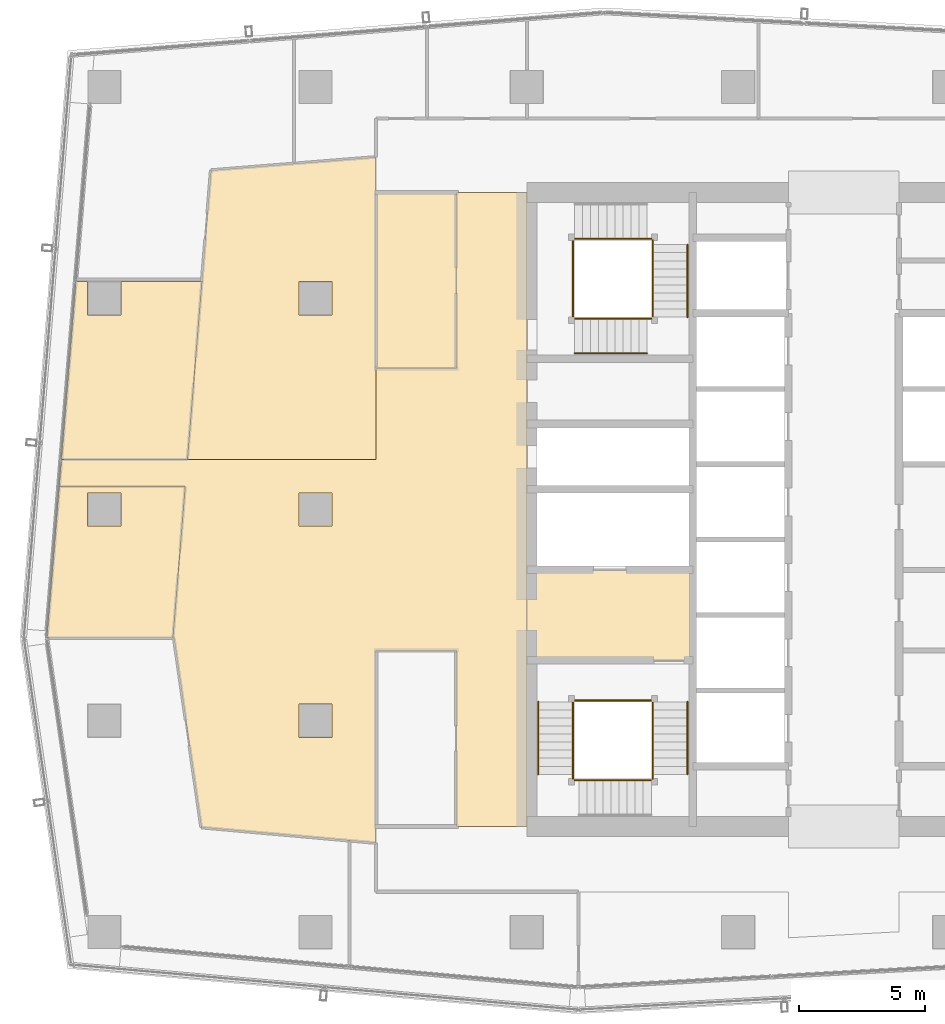
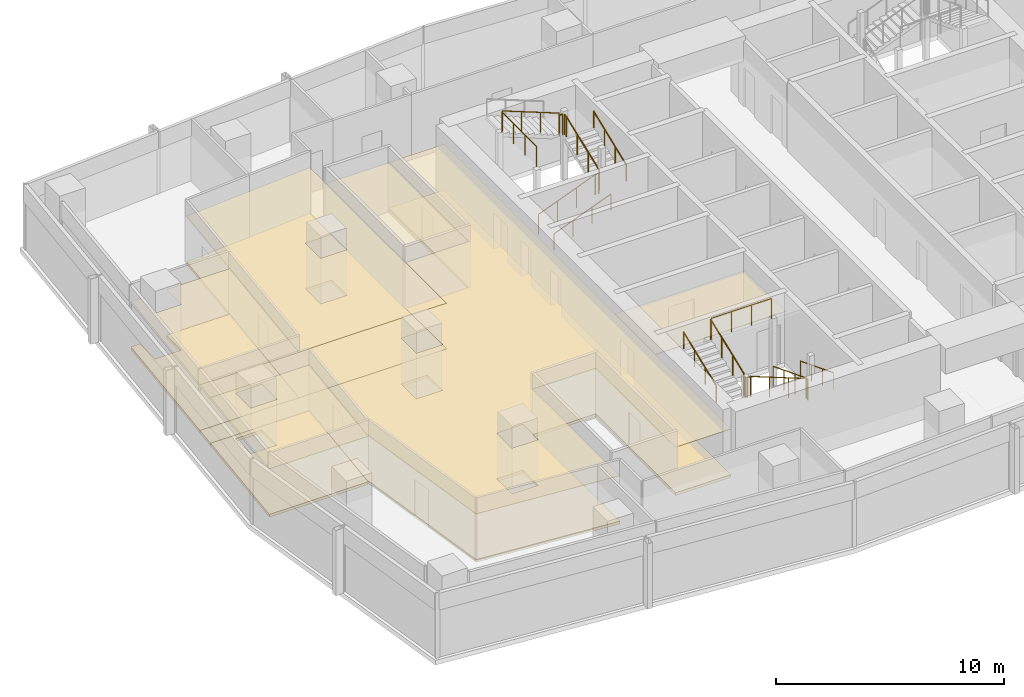
# One storey, part 27 of 29: 18 railings, 10 coverings.
"""IFC4 building model written with IfcOpenShell, lengths in metres."""

from ifc_helpers import new_model, si_unit, direction, frame, origin, origin_2d, place, context, subcontext, project, spatial, polyline, circle, outline, extrude, material, layer, layer_set, type_object, element, save


model = new_model("IFC4")

# Units and contexts
model_context = context("Model", 3, precision=1e-05, world=origin(), true_north=direction((0.0, 1.0)))
body_context = subcontext(model_context, "Body", "Model", "MODEL_VIEW")
ifc_project = project(units=[si_unit("LENGTHUNIT", "METRE"), si_unit("AREAUNIT", "SQUARE_METRE"), si_unit("VOLUMEUNIT", "CUBIC_METRE"), si_unit("PLANEANGLEUNIT", "RADIAN"), si_unit("MASSUNIT", "GRAM", prefix="KILO")], contexts=[model_context])

# Site, building, storey
site_placement = place(None, origin())
site = spatial("IfcSite", under=ifc_project, at=site_placement, CompositionType="ELEMENT")
building_placement = place(site_placement, origin())
building = spatial("IfcBuilding", under=site, at=building_placement, Name="Rekha Terrace Tower", CompositionType="ELEMENT")
storey_placement = place(building_placement, frame((0.0, 0.0, 261.35009765625)))
storey = spatial("IfcBuildingStorey", under=building, at=storey_placement, Name="L66", CompositionType="ELEMENT", Elevation=261.35009765625)

# Coverings
ifc_material_1 = material(Name="Mineral fibre tile in exposed grid", Category="finish")
ifc_layer_1 = layer(ifc_material_1, 0.02001953125)
ifc_layer_set_1 = layer_set([ifc_layer_1], Name="Mineral fibre tile in exposed grid")
covering_type_1 = type_object("IfcCoveringType", Name="CL1 600x1200 office grid ceiling", PredefinedType="CEILING", material=ifc_layer_set_1)
covering_1_placement = place(storey_placement, frame((0.0, 0.0, 2.579833984375)))
element("IfcCovering", 1, at=covering_1_placement, inside=storey, type_object=covering_type_1, Name="Ceiling L66-13", PredefinedType="CEILING", context=body_context, shape_type="SweptSolid", body=[
    extrude(outline(polyline([(7.735107421875, 42.656005859375), (7.26611328125, 42.656005859375), (6.69091796875, 35.590087890625), (11.70703125, 35.590087890625), (12.281982421875, 42.656005859375), (9.06494140625, 42.656005859375), (9.06494140625, 41.3349609375), (7.735107421875, 41.3349609375), (7.735107421875, 42.656005859375)])), origin(), (0.0, 0.0, 1.0), 0.02001953125),
])
covering_2_placement = place(storey_placement, frame((0.0, 0.0, 2.579833984375)))
element("IfcCovering", 2, at=covering_2_placement, inside=storey, type_object=covering_type_1, Name="Ceiling L66-O2", PredefinedType="CEILING", context=body_context, shape_type="SweptSolid", body=[
    extrude(outline(polyline([(12.64306640625, 47.0869140625), (12.281982421875, 42.656005859375), (11.70703125, 35.590087890625), (19.199951171875, 35.590087890625), (19.199951171875, 47.610107421875), (15.93505859375, 47.35009765625), (12.64306640625, 47.0869140625)]), holes=[polyline([(17.465087890625, 41.3349609375), (16.135009765625, 41.3349609375), (16.135009765625, 42.6650390625), (17.465087890625, 42.6650390625), (17.465087890625, 41.3349609375)])]), origin(), (0.0, 0.0, 1.0), 0.02001953125),
])
covering_3_placement = place(storey_placement, frame((0.0, 0.0, 2.579833984375)))
element("IfcCovering", 3, at=covering_3_placement, inside=storey, type_object=covering_type_1, Name="Ceiling L66-14", PredefinedType="CEILING", context=body_context, shape_type="SweptSolid", body=[
    extrude(outline(polyline([(11.1298828125, 28.491943359375), (11.618896484375, 34.509033203125), (6.60302734375, 34.509033203125), (6.113037109375, 28.491943359375), (11.1298828125, 28.491943359375)]), holes=[polyline([(9.06494140625, 34.264892578125), (9.06494140625, 32.93505859375), (7.735107421875, 32.93505859375), (7.735107421875, 34.264892578125), (9.06494140625, 34.264892578125)])]), origin(), (0.0, 0.0, 1.0), 0.02001953125),
])
covering_4_placement = place(storey_placement, frame((0.0, 0.0, 2.579833984375)))
element("IfcCovering", 4, at=covering_4_placement, inside=storey, type_object=covering_type_1, Name="Ceiling L66-O3b", PredefinedType="CEILING", context=body_context, shape_type="SweptSolid", body=[
    extrude(outline(polyline([(11.14501953125, 28.679931640625), (11.173095703125, 28.491943359375), (12.260986328125, 20.9619140625), (18.14990234375, 20.43896484375), (19.199951171875, 20.345947265625), (19.199951171875, 28.0), (22.39990234375, 28.0), (22.39990234375, 21.0), (25.199951171875, 21.0), (25.199951171875, 46.199951171875), (22.39990234375, 46.199951171875), (22.39990234375, 39.199951171875), (19.199951171875, 39.199951171875), (19.199951171875, 35.590087890625), (6.69091796875, 35.590087890625), (6.60302734375, 34.509033203125), (11.618896484375, 34.509033203125), (11.14501953125, 28.679931640625)]), holes=[polyline([(17.465087890625, 25.864990234375), (17.465087890625, 24.534912109375), (16.135009765625, 24.534912109375), (16.135009765625, 25.864990234375), (17.465087890625, 25.864990234375)]), polyline([(17.465087890625, 34.264892578125), (17.465087890625, 32.93505859375), (16.135009765625, 32.93505859375), (16.135009765625, 34.264892578125), (17.465087890625, 34.264892578125)])]), origin(), (0.0, 0.0, 1.0), 0.02001953125),
])
ifc_material_2 = material(Name="Fibre cement board", Category="finish")
ifc_layer_2 = layer(ifc_material_2, 0.014892578125)
ifc_layer_set_2 = layer_set([ifc_layer_2], Name="Fibre cement board")
covering_type_2 = type_object("IfcCoveringType", Name="CL2 moisture-resistant board ceiling", PredefinedType="CEILING", material=ifc_layer_set_2)
covering_5_placement = place(storey_placement, frame((0.0, 0.0, 2.5849609375)))
element("IfcCovering", 5, at=covering_5_placement, inside=storey, type_object=covering_type_2, Name="Ceiling L66-WCF2", PredefinedType="CEILING", context=body_context, shape_type="SweptSolid", body=[
    extrude(outline(polyline([(22.39990234375, 46.199951171875), (19.199951171875, 46.199951171875), (19.199951171875, 39.199951171875), (22.39990234375, 39.199951171875), (22.39990234375, 46.199951171875)])), origin(), (0.0, 0.0, 1.0), 0.014892578125),
])
ifc_material_3 = material(Name="Powder-coated aluminium pan", Category="aluminium")
ifc_layer_3 = layer(ifc_material_3, 0.030029296875)
ifc_layer_set_3 = layer_set([ifc_layer_3], Name="Powder-coated aluminium pan")
covering_type_3 = type_object("IfcCoveringType", Name="CL3 300x1200 metal pan ceiling", PredefinedType="CEILING", material=ifc_layer_set_3)
covering_6_placement = place(storey_placement, frame((0.0, 0.0, 2.56982421875)))
element("IfcCovering", 6, at=covering_6_placement, inside=storey, type_object=covering_type_3, Name="Ceiling L66-FLB1", PredefinedType="CEILING", context=body_context, shape_type="SweptSolid", body=[
    extrude(outline(polyline([(31.800048828125, 31.199951171875), (25.199951171875, 31.199951171875), (25.199951171875, 27.60009765625), (31.800048828125, 27.60009765625), (31.800048828125, 31.199951171875)])), origin(), (0.0, 0.0, 1.0), 0.030029296875),
])

# Railings
ifc_material_4 = material(Name="Stainless steel balustrade", Category="steel")
railing_type_1 = type_object("IfcRailingType", Name="GR1 1100 stair guard", PredefinedType="GUARDRAIL", material=ifc_material_4)
railing_1_placement = place(storey_placement, frame((30.2099609375, 25.949951171875, 0.125)))
element("IfcRailing", 7, at=railing_1_placement, inside=storey, type_object=railing_type_1, Name="Guard ST1 L66 flight 1", PredefinedType="GUARDRAIL", context=body_context, shape_type="SweptSolid", body=[
    extrude(circle(Radius=0.02392578125, at=origin_2d()), frame((0.0, 0.0, 1.076171875), z_axis=(0.0, -0.931452331594, 0.363863372667), x_axis=(1.0, 0.0, 0.0)), (0.0, 0.0, 1.0), 3.091796875),
    extrude(circle(Radius=0.02099609375, at=origin_2d()), origin(), (0.0, 0.0, 1.0), 1.052001953125),
    extrude(circle(Radius=0.02099609375, at=origin_2d()), frame((0.0, -0.9599609375, 0.375)), (0.0, 0.0, 1.0), 1.052001953125),
    extrude(circle(Radius=0.02099609375, at=origin_2d()), frame((0.0, -1.919921875, 0.75)), (0.0, 0.0, 1.0), 1.052001953125),
    extrude(circle(Radius=0.02099609375, at=origin_2d()), frame((0.0, -2.8798828125, 1.125)), (0.0, 0.0, 1.0), 1.052001953125),
])
railing_2_placement = place(storey_placement, frame((30.14990234375, 22.840087890625, 1.375)))
element("IfcRailing", 8, at=railing_2_placement, inside=storey, type_object=railing_type_1, Name="Guard ST1 L66 flight 2", PredefinedType="GUARDRAIL", context=body_context, shape_type="SweptSolid", body=[
    extrude(circle(Radius=0.02392578125, at=origin_2d()), frame((0.0, 0.0, 1.076171875), z_axis=(-0.931452331594, 0.0, 0.363863372667), x_axis=(0.0, -1.0, 0.0)), (0.0, 0.0, 1.0), 3.091796875),
    extrude(circle(Radius=0.02099609375, at=origin_2d()), origin(), (0.0, 0.0, 1.0), 1.052001953125),
    extrude(circle(Radius=0.02099609375, at=origin_2d()), frame((-0.9599609375, 0.0, 0.375)), (0.0, 0.0, 1.0), 1.052001953125),
    extrude(circle(Radius=0.02099609375, at=origin_2d()), frame((-1.919921875, 0.0, 0.75)), (0.0, 0.0, 1.0), 1.052001953125),
    extrude(circle(Radius=0.02099609375, at=origin_2d()), frame((-2.8798828125, 0.0, 1.125)), (0.0, 0.0, 1.0), 1.052001953125),
])
railing_3_placement = place(storey_placement, frame((27.0400390625, 23.070068359375, 2.625)))
element("IfcRailing", 9, at=railing_3_placement, inside=storey, type_object=railing_type_1, Name="Guard ST1 L66 flight 3", PredefinedType="GUARDRAIL", context=body_context, shape_type="SweptSolid", body=[
    extrude(circle(Radius=0.02392578125, at=origin_2d()), frame((0.0, 0.0, 1.076171875), z_axis=(0.0, 0.931452331594, 0.363863372667), x_axis=(-1.0, 0.0, 0.0)), (0.0, 0.0, 1.0), 3.091796875),
    extrude(circle(Radius=0.02099609375, at=origin_2d()), origin(), (0.0, 0.0, 1.0), 1.052001953125),
    extrude(circle(Radius=0.02099609375, at=origin_2d()), frame((0.0, 0.9599609375, 0.375)), (0.0, 0.0, 1.0), 1.052001953125),
    extrude(circle(Radius=0.02099609375, at=origin_2d()), frame((0.0, 1.919921875, 0.75)), (0.0, 0.0, 1.0), 1.052001953125),
    extrude(circle(Radius=0.02099609375, at=origin_2d()), frame((0.0, 2.8798828125, 1.125)), (0.0, 0.0, 1.0), 1.052001953125),
])
railing_4_placement = place(storey_placement, frame((30.2099609375, 23.070068359375, 1.25)))
element("IfcRailing", 10, at=railing_4_placement, inside=storey, type_object=railing_type_1, Name="Guard ST1 L66 landing 1", PredefinedType="GUARDRAIL", context=body_context, shape_type="SweptSolid", body=[
    extrude(circle(Radius=0.02392578125, at=origin_2d()), frame((0.0, 0.0, 1.076171875), z_axis=(0.0, -1.0, 0.0), x_axis=(1.0, 0.0, 0.0)), (0.0, 0.0, 1.0), 0.170166015625),
    extrude(circle(Radius=0.02099609375, at=origin_2d()), origin(), (0.0, 0.0, 1.0), 1.052001953125),
    extrude(circle(Radius=0.02099609375, at=origin_2d()), frame((0.0, -0.170166015625, 0.0)), (0.0, 0.0, 1.0), 1.052001953125),
])
railing_5_placement = place(storey_placement, frame((27.27001953125, 22.840087890625, 2.5)))
element("IfcRailing", 11, at=railing_5_placement, inside=storey, type_object=railing_type_1, Name="Guard ST1 L66 landing 2", PredefinedType="GUARDRAIL", context=body_context, shape_type="SweptSolid", body=[
    extrude(circle(Radius=0.02392578125, at=origin_2d()), frame((0.0, 0.0, 1.076171875), z_axis=(-1.0, 0.0, 0.0), x_axis=(0.0, -1.0, 0.0)), (0.0, 0.0, 1.0), 0.169921875),
    extrude(circle(Radius=0.02099609375, at=origin_2d()), origin(), (0.0, 0.0, 1.0), 1.052001953125),
    extrude(circle(Radius=0.02099609375, at=origin_2d()), frame((-0.169921875, 0.0, 0.0)), (0.0, 0.0, 1.0), 1.052001953125),
])
railing_6_placement = place(storey_placement, frame((27.0400390625, 23.070068359375, 2.5)))
element("IfcRailing", 12, at=railing_6_placement, inside=storey, type_object=railing_type_1, Name="Guard ST1 L66 landing 3", PredefinedType="GUARDRAIL", context=body_context, shape_type="SweptSolid", body=[
    extrude(circle(Radius=0.02392578125, at=origin_2d()), frame((0.0, 0.0, 1.076171875), z_axis=(0.0, -1.0, 0.0), x_axis=(1.0, 0.0, 0.0)), (0.0, 0.0, 1.0), 0.170166015625),
    extrude(circle(Radius=0.02099609375, at=origin_2d()), origin(), (0.0, 0.0, 1.0), 1.052001953125),
    extrude(circle(Radius=0.02099609375, at=origin_2d()), frame((0.0, -0.170166015625, 0.0)), (0.0, 0.0, 1.0), 1.052001953125),
])
railing_7_placement = place(storey_placement, frame((30.14990234375, 26.010009765625, 3.75)))
element("IfcRailing", 13, at=railing_7_placement, inside=storey, type_object=railing_type_1, Name="Guard ST1 L66 landing 4", PredefinedType="GUARDRAIL", context=body_context, shape_type="SweptSolid", body=[
    extrude(circle(Radius=0.02392578125, at=origin_2d()), frame((0.0, 0.0, 1.076171875), z_axis=(-1.0, 0.0, 0.0), x_axis=(0.0, -1.0, 0.0)), (0.0, 0.0, 1.0), 3.0498046875),
    extrude(circle(Radius=0.02099609375, at=origin_2d()), origin(), (0.0, 0.0, 1.0), 1.052001953125),
    extrude(circle(Radius=0.02099609375, at=origin_2d()), frame((-1.0166015625, 0.0, 0.0)), (0.0, 0.0, 1.0), 1.052001953125),
    extrude(circle(Radius=0.02099609375, at=origin_2d()), frame((-2.033203125, 0.0, 0.0)), (0.0, 0.0, 1.0), 1.052001953125),
    extrude(circle(Radius=0.02099609375, at=origin_2d()), frame((-3.0498046875, 0.0, 0.0)), (0.0, 0.0, 1.0), 1.052001953125),
])
railing_8_placement = place(storey_placement, frame((27.10009765625, 41.18994140625, 0.125)))
element("IfcRailing", 14, at=railing_8_placement, inside=storey, type_object=railing_type_1, Name="Guard ST4 L66 flight 1", PredefinedType="GUARDRAIL", context=body_context, shape_type="SweptSolid", body=[
    extrude(circle(Radius=0.02392578125, at=origin_2d()), frame((0.0, 0.0, 1.076171875), z_axis=(0.931452331594, 0.0, 0.363863372667), x_axis=(0.0, 1.0, 0.0)), (0.0, 0.0, 1.0), 3.091796875),
    extrude(circle(Radius=0.02099609375, at=origin_2d()), origin(), (0.0, 0.0, 1.0), 1.052001953125),
    extrude(circle(Radius=0.02099609375, at=origin_2d()), frame((0.9599609375, 0.0, 0.375)), (0.0, 0.0, 1.0), 1.052001953125),
    extrude(circle(Radius=0.02099609375, at=origin_2d()), frame((1.919921875, 0.0, 0.75)), (0.0, 0.0, 1.0), 1.052001953125),
    extrude(circle(Radius=0.02099609375, at=origin_2d()), frame((2.8798828125, 0.0, 1.125)), (0.0, 0.0, 1.0), 1.052001953125),
])
railing_9_placement = place(storey_placement, frame((30.2099609375, 41.25, 1.375)))
element("IfcRailing", 15, at=railing_9_placement, inside=storey, type_object=railing_type_1, Name="Guard ST4 L66 flight 2", PredefinedType="GUARDRAIL", context=body_context, shape_type="SweptSolid", body=[
    extrude(circle(Radius=0.02392578125, at=origin_2d()), frame((0.0, 0.0, 1.076171875), z_axis=(0.0, 0.931452331594, 0.363863372667), x_axis=(-1.0, 0.0, 0.0)), (0.0, 0.0, 1.0), 3.091796875),
    extrude(circle(Radius=0.02099609375, at=origin_2d()), origin(), (0.0, 0.0, 1.0), 1.052001953125),
    extrude(circle(Radius=0.02099609375, at=origin_2d()), frame((0.0, 0.9599609375, 0.375)), (0.0, 0.0, 1.0), 1.052001953125),
    extrude(circle(Radius=0.02099609375, at=origin_2d()), frame((0.0, 1.919921875, 0.75)), (0.0, 0.0, 1.0), 1.052001953125),
    extrude(circle(Radius=0.02099609375, at=origin_2d()), frame((0.0, 2.8798828125, 1.125)), (0.0, 0.0, 1.0), 1.052001953125),
])
railing_10_placement = place(storey_placement, frame((29.97998046875, 44.360107421875, 2.625)))
element("IfcRailing", 16, at=railing_10_placement, inside=storey, type_object=railing_type_1, Name="Guard ST4 L66 flight 3", PredefinedType="GUARDRAIL", context=body_context, shape_type="SweptSolid", body=[
    extrude(circle(Radius=0.02392578125, at=origin_2d()), frame((0.0, 0.0, 1.076171875), z_axis=(-0.931452331594, 0.0, 0.363863372667), x_axis=(0.0, -1.0, 0.0)), (0.0, 0.0, 1.0), 3.091796875),
    extrude(circle(Radius=0.02099609375, at=origin_2d()), origin(), (0.0, 0.0, 1.0), 1.052001953125),
    extrude(circle(Radius=0.02099609375, at=origin_2d()), frame((-0.9599609375, 0.0, 0.375)), (0.0, 0.0, 1.0), 1.052001953125),
    extrude(circle(Radius=0.02099609375, at=origin_2d()), frame((-1.919921875, 0.0, 0.75)), (0.0, 0.0, 1.0), 1.052001953125),
    extrude(circle(Radius=0.02099609375, at=origin_2d()), frame((-2.8798828125, 0.0, 1.125)), (0.0, 0.0, 1.0), 1.052001953125),
])
railing_11_placement = place(storey_placement, frame((29.97998046875, 41.18994140625, 1.25)))
element("IfcRailing", 17, at=railing_11_placement, inside=storey, type_object=railing_type_1, Name="Guard ST4 L66 landing 1", PredefinedType="GUARDRAIL", context=body_context, shape_type="SweptSolid", body=[
    extrude(circle(Radius=0.02392578125, at=origin_2d()), frame((0.0, 0.0, 1.076171875), z_axis=(1.0, 0.0, 0.0), x_axis=(0.0, 1.0, 0.0)), (0.0, 0.0, 1.0), 0.169921875),
    extrude(circle(Radius=0.02099609375, at=origin_2d()), origin(), (0.0, 0.0, 1.0), 1.052001953125),
    extrude(circle(Radius=0.02099609375, at=origin_2d()), frame((0.169921875, 0.0, 0.0)), (0.0, 0.0, 1.0), 1.052001953125),
])
railing_12_placement = place(storey_placement, frame((30.2099609375, 44.1298828125, 2.5)))
element("IfcRailing", 18, at=railing_12_placement, inside=storey, type_object=railing_type_1, Name="Guard ST4 L66 landing 2", PredefinedType="GUARDRAIL", context=body_context, shape_type="SweptSolid", body=[
    extrude(circle(Radius=0.02392578125, at=origin_2d()), frame((0.0, 0.0, 1.076171875), z_axis=(0.0, 1.0, 0.0), x_axis=(-1.0, 0.0, 0.0)), (0.0, 0.0, 1.0), 0.170166015625),
    extrude(circle(Radius=0.02099609375, at=origin_2d()), origin(), (0.0, 0.0, 1.0), 1.052001953125),
    extrude(circle(Radius=0.02099609375, at=origin_2d()), frame((0.0, 0.170166015625, 0.0)), (0.0, 0.0, 1.0), 1.052001953125),
])
railing_13_placement = place(storey_placement, frame((29.97998046875, 44.360107421875, 2.5)))
element("IfcRailing", 19, at=railing_13_placement, inside=storey, type_object=railing_type_1, Name="Guard ST4 L66 landing 3", PredefinedType="GUARDRAIL", context=body_context, shape_type="SweptSolid", body=[
    extrude(circle(Radius=0.02392578125, at=origin_2d()), frame((0.0, 0.0, 1.076171875), z_axis=(1.0, 0.0, 0.0), x_axis=(0.0, 1.0, 0.0)), (0.0, 0.0, 1.0), 0.169921875),
    extrude(circle(Radius=0.02099609375, at=origin_2d()), origin(), (0.0, 0.0, 1.0), 1.052001953125),
    extrude(circle(Radius=0.02099609375, at=origin_2d()), frame((0.169921875, 0.0, 0.0)), (0.0, 0.0, 1.0), 1.052001953125),
])
railing_14_placement = place(storey_placement, frame((27.0400390625, 41.25, 3.75)))
element("IfcRailing", 20, at=railing_14_placement, inside=storey, type_object=railing_type_1, Name="Guard ST4 L66 landing 4", PredefinedType="GUARDRAIL", context=body_context, shape_type="SweptSolid", body=[
    extrude(circle(Radius=0.02392578125, at=origin_2d()), frame((0.0, 0.0, 1.076171875), z_axis=(0.0, 1.0, 0.0), x_axis=(-1.0, 0.0, 0.0)), (0.0, 0.0, 1.0), 3.050048828125),
    extrude(circle(Radius=0.02099609375, at=origin_2d()), origin(), (0.0, 0.0, 1.0), 1.052001953125),
    extrude(circle(Radius=0.02099609375, at=origin_2d()), frame((0.0, 1.0166015625, 0.0)), (0.0, 0.0, 1.0), 1.052001953125),
    extrude(circle(Radius=0.02099609375, at=origin_2d()), frame((0.0, 2.033447265625, 0.0)), (0.0, 0.0, 1.0), 1.052001953125),
    extrude(circle(Radius=0.02099609375, at=origin_2d()), frame((0.0, 3.050048828125, 0.0)), (0.0, 0.0, 1.0), 1.052001953125),
])
ifc_material_5 = material(Name="Stainless steel tube", Category="steel")
railing_type_2 = type_object("IfcRailingType", Name="HR1 900 stair handrail", PredefinedType="HANDRAIL", material=ifc_material_5)
railing_15_placement = place(storey_placement, frame((31.590087890625, 25.949951171875, 0.125)))
element("IfcRailing", 21, at=railing_15_placement, inside=storey, type_object=railing_type_2, Name="Handrail ST1 L66 flight 1", PredefinedType="HANDRAIL", context=body_context, shape_type="SweptSolid", body=[
    extrude(circle(Radius=0.02392578125, at=origin_2d()), frame((0.0, 0.0, 0.8759765625), z_axis=(0.0, -0.931452331594, 0.363863372667), x_axis=(1.0, 0.0, 0.0)), (0.0, 0.0, 1.0), 3.091796875),
    extrude(circle(Radius=0.02099609375, at=origin_2d()), origin(), (0.0, 0.0, 1.0), 0.851806640625),
    extrude(circle(Radius=0.02099609375, at=origin_2d()), frame((0.0, -0.9599609375, 0.375)), (0.0, 0.0, 1.0), 0.851806640625),
    extrude(circle(Radius=0.02099609375, at=origin_2d()), frame((0.0, -1.919921875, 0.75)), (0.0, 0.0, 1.0), 0.851806640625),
    extrude(circle(Radius=0.02099609375, at=origin_2d()), frame((0.0, -2.8798828125, 1.125)), (0.0, 0.0, 1.0), 0.851806640625),
])
railing_16_placement = place(storey_placement, frame((25.659912109375, 23.070068359375, 2.625)))
element("IfcRailing", 22, at=railing_16_placement, inside=storey, type_object=railing_type_2, Name="Handrail ST1 L66 flight 3", PredefinedType="HANDRAIL", context=body_context, shape_type="SweptSolid", body=[
    extrude(circle(Radius=0.02392578125, at=origin_2d()), frame((0.0, 0.0, 0.8759765625), z_axis=(0.0, 0.931452331594, 0.363863372667), x_axis=(-1.0, 0.0, 0.0)), (0.0, 0.0, 1.0), 3.091796875),
    extrude(circle(Radius=0.02099609375, at=origin_2d()), origin(), (0.0, 0.0, 1.0), 0.851806640625),
    extrude(circle(Radius=0.02099609375, at=origin_2d()), frame((0.0, 0.9599609375, 0.375)), (0.0, 0.0, 1.0), 0.851806640625),
    extrude(circle(Radius=0.02099609375, at=origin_2d()), frame((0.0, 1.919921875, 0.75)), (0.0, 0.0, 1.0), 0.851806640625),
    extrude(circle(Radius=0.02099609375, at=origin_2d()), frame((0.0, 2.8798828125, 1.125)), (0.0, 0.0, 1.0), 0.851806640625),
])
railing_17_placement = place(storey_placement, frame((27.10009765625, 39.81005859375, 0.125)))
element("IfcRailing", 23, at=railing_17_placement, inside=storey, type_object=railing_type_2, Name="Handrail ST4 L66 flight 1", PredefinedType="HANDRAIL", context=body_context, shape_type="SweptSolid", body=[
    extrude(circle(Radius=0.02392578125, at=origin_2d()), frame((0.0, 0.0, 0.8759765625), z_axis=(0.931452331594, 0.0, 0.363863372667), x_axis=(0.0, 1.0, 0.0)), (0.0, 0.0, 1.0), 3.091796875),
    extrude(circle(Radius=0.02099609375, at=origin_2d()), origin(), (0.0, 0.0, 1.0), 0.851806640625),
    extrude(circle(Radius=0.02099609375, at=origin_2d()), frame((0.9599609375, 0.0, 0.375)), (0.0, 0.0, 1.0), 0.851806640625),
    extrude(circle(Radius=0.02099609375, at=origin_2d()), frame((1.919921875, 0.0, 0.75)), (0.0, 0.0, 1.0), 0.851806640625),
    extrude(circle(Radius=0.02099609375, at=origin_2d()), frame((2.8798828125, 0.0, 1.125)), (0.0, 0.0, 1.0), 0.851806640625),
])
railing_18_placement = place(storey_placement, frame((31.590087890625, 41.25, 1.375)))
element("IfcRailing", 24, at=railing_18_placement, inside=storey, type_object=railing_type_2, Name="Handrail ST4 L66 flight 2", PredefinedType="HANDRAIL", context=body_context, shape_type="SweptSolid", body=[
    extrude(circle(Radius=0.02392578125, at=origin_2d()), frame((0.0, 0.0, 0.8759765625), z_axis=(0.0, 0.931452331594, 0.363863372667), x_axis=(-1.0, 0.0, 0.0)), (0.0, 0.0, 1.0), 3.091796875),
    extrude(circle(Radius=0.02099609375, at=origin_2d()), origin(), (0.0, 0.0, 1.0), 0.851806640625),
    extrude(circle(Radius=0.02099609375, at=origin_2d()), frame((0.0, 0.9599609375, 0.375)), (0.0, 0.0, 1.0), 0.851806640625),
    extrude(circle(Radius=0.02099609375, at=origin_2d()), frame((0.0, 1.919921875, 0.75)), (0.0, 0.0, 1.0), 0.851806640625),
    extrude(circle(Radius=0.02099609375, at=origin_2d()), frame((0.0, 2.8798828125, 1.125)), (0.0, 0.0, 1.0), 0.851806640625),
])

# Coverings
ifc_material_6 = material(Name="Calcium sulphate panels on steel pedestals", Category="steel")
ifc_layer_4 = layer(ifc_material_6, 0.14990234375)
ifc_layer_set_4 = layer_set([ifc_layer_4], Name="Calcium sulphate panels on steel pedestals")
covering_type_4 = type_object("IfcCoveringType", Name="RF1 150 raised access floor", PredefinedType="FLOORING", material=ifc_layer_set_4)
covering_7_placement = place(storey_placement, origin())
element("IfcCovering", 25, at=covering_7_placement, inside=storey, type_object=covering_type_4, Name="Raised floor L66-13", PredefinedType="FLOORING", context=body_context, shape_type="SweptSolid", body=[
    extrude(outline(polyline([(7.735107421875, 42.656005859375), (7.26611328125, 42.656005859375), (6.69091796875, 35.590087890625), (11.70703125, 35.590087890625), (12.281982421875, 42.656005859375), (9.06494140625, 42.656005859375), (9.06494140625, 41.3349609375), (7.735107421875, 41.3349609375), (7.735107421875, 42.656005859375)])), origin(), (0.0, 0.0, 1.0), 0.14990234375),
])
covering_8_placement = place(storey_placement, origin())
element("IfcCovering", 26, at=covering_8_placement, inside=storey, type_object=covering_type_4, Name="Raised floor L66-O2", PredefinedType="FLOORING", context=body_context, shape_type="SweptSolid", body=[
    extrude(outline(polyline([(12.64306640625, 47.0869140625), (12.281982421875, 42.656005859375), (11.70703125, 35.590087890625), (19.199951171875, 35.590087890625), (19.199951171875, 47.610107421875), (15.93505859375, 47.35009765625), (12.64306640625, 47.0869140625)]), holes=[polyline([(17.465087890625, 41.3349609375), (16.135009765625, 41.3349609375), (16.135009765625, 42.6650390625), (17.465087890625, 42.6650390625), (17.465087890625, 41.3349609375)])]), origin(), (0.0, 0.0, 1.0), 0.14990234375),
])
covering_9_placement = place(storey_placement, origin())
element("IfcCovering", 27, at=covering_9_placement, inside=storey, type_object=covering_type_4, Name="Raised floor L66-14", PredefinedType="FLOORING", context=body_context, shape_type="SweptSolid", body=[
    extrude(outline(polyline([(11.1298828125, 28.491943359375), (11.618896484375, 34.509033203125), (6.60302734375, 34.509033203125), (6.113037109375, 28.491943359375), (11.1298828125, 28.491943359375)]), holes=[polyline([(9.06494140625, 34.264892578125), (9.06494140625, 32.93505859375), (7.735107421875, 32.93505859375), (7.735107421875, 34.264892578125), (9.06494140625, 34.264892578125)])]), origin(), (0.0, 0.0, 1.0), 0.14990234375),
])
covering_10_placement = place(storey_placement, origin())
element("IfcCovering", 28, at=covering_10_placement, inside=storey, type_object=covering_type_4, Name="Raised floor L66-O3b", PredefinedType="FLOORING", context=body_context, shape_type="SweptSolid", body=[
    extrude(outline(polyline([(11.14501953125, 28.679931640625), (11.173095703125, 28.491943359375), (12.260986328125, 20.9619140625), (18.14990234375, 20.43896484375), (19.199951171875, 20.345947265625), (19.199951171875, 28.0), (22.39990234375, 28.0), (22.39990234375, 21.0), (25.199951171875, 21.0), (25.199951171875, 46.199951171875), (22.39990234375, 46.199951171875), (22.39990234375, 39.199951171875), (19.199951171875, 39.199951171875), (19.199951171875, 35.590087890625), (6.69091796875, 35.590087890625), (6.60302734375, 34.509033203125), (11.618896484375, 34.509033203125), (11.14501953125, 28.679931640625)]), holes=[polyline([(17.465087890625, 25.864990234375), (17.465087890625, 24.534912109375), (16.135009765625, 24.534912109375), (16.135009765625, 25.864990234375), (17.465087890625, 25.864990234375)]), polyline([(17.465087890625, 34.264892578125), (17.465087890625, 32.93505859375), (16.135009765625, 32.93505859375), (16.135009765625, 34.264892578125), (17.465087890625, 34.264892578125)])]), origin(), (0.0, 0.0, 1.0), 0.14990234375),
])

save(model, "model.ifc")
